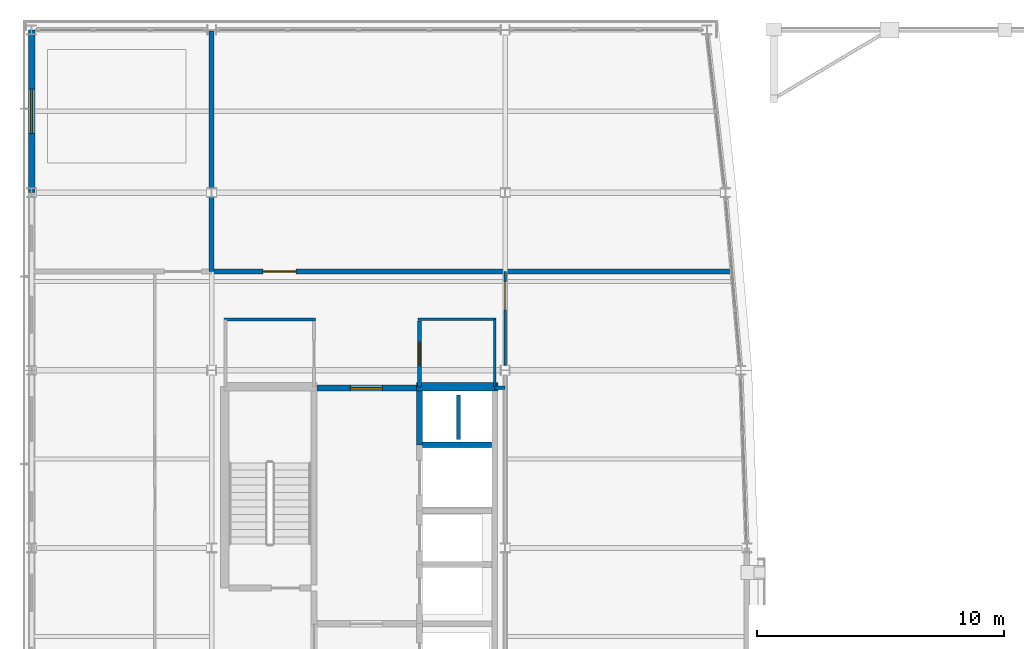
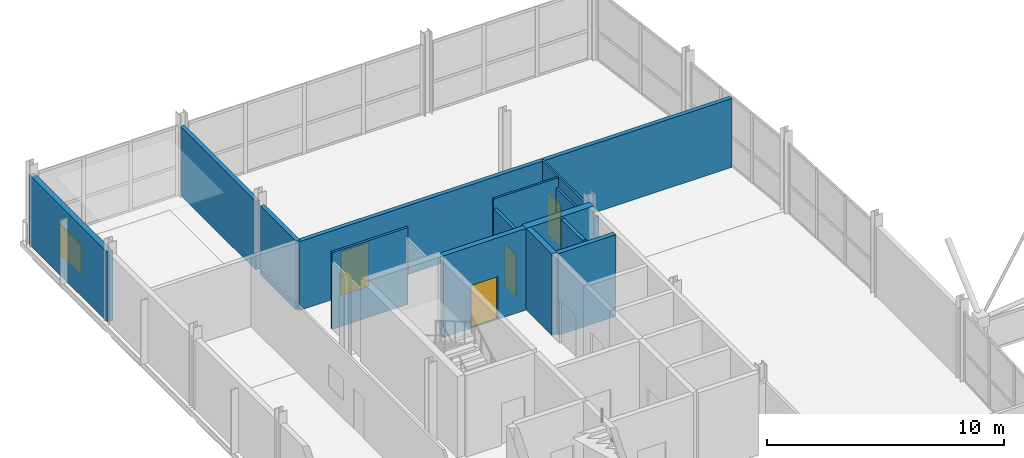
# One storey, part 52 of 60: 15 walls, 4 doors, 1 window, 5 openings.
"""IFC4 building model written with IfcOpenShell, lengths in metres."""

from ifc_helpers import new_model, si_unit, direction, frame, frame_2d, origin, place, context, subcontext, project, spatial, rectangle, extrude, material, layer, layer_set, type_object, element, fill, save


model = new_model("IFC4")

# Units and contexts
model_context = context("Model", 3, precision=1e-05, world=origin(), true_north=direction((0.0, 1.0)))
body_context = subcontext(model_context, "Body", "Model", "MODEL_VIEW")
ifc_project = project(units=[si_unit("LENGTHUNIT", "METRE"), si_unit("AREAUNIT", "SQUARE_METRE"), si_unit("VOLUMEUNIT", "CUBIC_METRE"), si_unit("PLANEANGLEUNIT", "RADIAN"), si_unit("MASSUNIT", "GRAM", prefix="KILO")], contexts=[model_context])

# Site, building, storey
site_placement = place(None, origin())
site = spatial("IfcSite", under=ifc_project, at=site_placement, CompositionType="ELEMENT")
building_placement = place(site_placement, origin())
building = spatial("IfcBuilding", under=site, at=building_placement, Name="Quillay Park Conservatory", CompositionType="ELEMENT")
storey_placement = place(building_placement, frame((0.0, 0.0, 9.89990234375)))
storey = spatial("IfcBuildingStorey", under=building, at=storey_placement, Name="L02", CompositionType="ELEMENT", Elevation=9.89990234375)

# Wall
ifc_material_1 = material(Name="Steel-Stud Acoustic Gypsum Board Partition", Category="steel")
ifc_layer_1 = layer(ifc_material_1, 0.10009765625)
ifc_layer_set_1 = layer_set([ifc_layer_1], Name="ACOUSTIC GYPSUM PARTITION 100 (Steel-Stud Acoustic Gypsum Board Partition)")
wall_type_1 = type_object("IfcWallType", Name="ACOUSTIC GYPSUM PARTITION 100", PredefinedType="PARTITIONING", material=ifc_layer_set_1)
wall_1_placement = place(storey_placement, frame((19.3798828125, 101.659912109375, 0.0), z_axis=(0.0, 0.0, 1.0), x_axis=(-1.0, 0.0, 0.0)))
element("IfcWall", 1, at=wall_1_placement, inside=storey, type_object=wall_type_1, Name="L02 Washroom North Wall", PredefinedType="PARTITIONING", context=body_context, shape_type="SweptSolid", body=[
    extrude(rectangle(XDim=3.159912109375, YDim=0.10009765625, at=frame_2d((1.580078125, 0.0))), origin(), (0.0, 0.0, 1.0), 3.9501953125),
])

# Wall, opening, door
wall_2_placement = place(storey_placement, frame((19.75, 99.79248046875, 0.0), z_axis=(0.0, 0.0, 1.0), x_axis=(0.0, 1.0, 0.0)))
wall_2 = element("IfcWall", 2, at=wall_2_placement, inside=storey, type_object=wall_type_1, Name="L02 Field Botanist Collaboration Room West Wall 4", PredefinedType="PARTITIONING", context=body_context, shape_type="SweptSolid", body=[
    extrude(rectangle(XDim=3.8076171875, YDim=0.10009765625, at=frame_2d((1.90380859375, 0.0))), origin(), (0.0, 0.0, 1.0), 3.5419921875),
])
opening_1_placement = place(wall_2_placement, frame((2.257568359375, 0.0, 0.0)))
opening_1 = element("IfcOpeningElement", 3, at=opening_1_placement, cuts=wall_2, Name="Opening D-RM34", PredefinedType="OPENING", context=body_context, shape_type="SweptSolid", body=[
    extrude(rectangle(XDim=1.139892578125, YDim=2.179931640625, at=frame_2d((0.56982421875, 1.08984375))), frame((0.0, 0.050048828125, 0.0), z_axis=(0.0, -1.0, 0.0), x_axis=(1.0, 0.0, 0.0)), (0.0, 0.0, 1.0), 0.10009765625),
])
ifc_material_2 = material(Name="Thermally Broken Anodised Aluminium 6063-T6", Category="aluminium")
door_type_1 = type_object("IfcDoorType", Name="SINGLE SWING DOOR 1140 X2180", OperationType="NOTDEFINED", PredefinedType="DOOR", material=ifc_material_2)
door_1_placement = place(opening_1_placement, origin())
door_1 = element("IfcDoor", 4, at=door_1_placement, inside=storey, type_object=door_type_1, Name="L02 Door to Field Botanist Collaboration Room", OperationType="SINGLE_SWING_RIGHT", OverallHeight=2.179931640625, OverallWidth=1.139892578125, PredefinedType="DOOR", context=body_context, shape_type="SweptSolid", body=[
    extrude(rectangle(XDim=1.139892578125, YDim=2.179931640625, at=frame_2d((0.56982421875, 1.08984375))), frame((0.0, 0.02490234375, 0.0), z_axis=(0.0, -1.0, 0.0), x_axis=(1.0, 0.0, 0.0)), (0.0, 0.0, 1.0), 0.050048828125),
])
fill(opening_1, door_1)

# Walls
ifc_material_3 = material(Name="Steel-Stud Acoustic Gypsum Board Partition", Category="steel")
ifc_layer_2 = layer(ifc_material_3, 0.10498046875)
ifc_layer_set_2 = layer_set([ifc_layer_2], Name="ACOUSTIC GYPSUM PARTITION 105 (Steel-Stud Acoustic Gypsum Board Partition)")
wall_type_2 = type_object("IfcWallType", Name="ACOUSTIC GYPSUM PARTITION 105", PredefinedType="PARTITIONING", material=ifc_layer_set_2)
wall_3_placement = place(storey_placement, frame((19.320068359375, 98.919921875, 0.0), z_axis=(0.0, 0.0, 1.0), x_axis=(0.0, 1.0, 0.0)))
element("IfcWall", 5, at=wall_3_placement, inside=storey, type_object=wall_type_2, Name="L02 Washroom East Wall", PredefinedType="PARTITIONING", context=body_context, shape_type="SweptSolid", body=[
    extrude(rectangle(XDim=2.739990234375, YDim=0.10498046875, at=frame_2d((1.3701171875, 0.0))), origin(), (0.0, 0.0, 1.0), 3.466064453125),
])
ifc_material_4 = material(Name="Steel-Stud Acoustic Gypsum Board Partition", Category="steel")
ifc_layer_3 = layer(ifc_material_4, 0.114990234375)
ifc_layer_set_3 = layer_set([ifc_layer_3], Name="ACOUSTIC GYPSUM PARTITION 115 (Steel-Stud Acoustic Gypsum Board Partition)")
wall_type_3 = type_object("IfcWallType", Name="ACOUSTIC GYPSUM PARTITION 115", PredefinedType="PARTITIONING", material=ifc_layer_set_3)
wall_4_placement = place(storey_placement, frame((8.360107421875, 101.659912109375, 0.0), z_axis=(0.0, 0.0, 1.0), x_axis=(1.0, 0.0, 0.0)))
element("IfcWall", 6, at=wall_4_placement, inside=storey, type_object=wall_type_3, Name="L02 Accessible WC North Wall", PredefinedType="PARTITIONING", context=body_context, shape_type="SweptSolid", body=[
    extrude(rectangle(XDim=3.699951171875, YDim=0.114990234375, at=frame_2d((1.85009765625, 0.0))), origin(), (0.0, 0.0, 1.0), 3.9501953125),
])
ifc_material_5 = material(Name="Steel-Stud Acoustic Gypsum Board Partition", Category="steel")
ifc_layer_4 = layer(ifc_material_5, 0.139892578125)
ifc_layer_set_4 = layer_set([ifc_layer_4], Name="ACOUSTIC GYPSUM PARTITION 140 (Steel-Stud Acoustic Gypsum Board Partition)")
wall_type_4 = type_object("IfcWallType", Name="ACOUSTIC GYPSUM PARTITION 140", PredefinedType="PARTITIONING", material=ifc_layer_set_4)
wall_5_placement = place(storey_placement, frame((19.75, 98.89990234375, 0.0), z_axis=(0.0, 0.0, 1.0), x_axis=(-1.0, 0.0, 0.0)))
element("IfcWall", 7, at=wall_5_placement, inside=storey, type_object=wall_type_4, Name="L02 Core North-East Closure", PredefinedType="PARTITIONING", context=body_context, shape_type="SweptSolid", body=[
    extrude(rectangle(XDim=0.429931640625, YDim=0.139892578125, at=frame_2d((0.21484375, 0.0))), origin(), (0.0, 0.0, 1.0), 3.5419921875),
])

# Wall, opening, door
ifc_material_6 = material(Name="Steel-Stud Acoustic Gypsum Board Partition", Category="steel")
ifc_layer_5 = layer(ifc_material_6, 0.14990234375)
ifc_layer_set_5 = layer_set([ifc_layer_5], Name="ACOUSTIC GYPSUM PARTITION 150 (Steel-Stud Acoustic Gypsum Board Partition)")
wall_type_5 = type_object("IfcWallType", Name="ACOUSTIC GYPSUM PARTITION 150", PredefinedType="PARTITIONING", material=ifc_layer_set_5)
wall_6_placement = place(storey_placement, frame((16.280029296875, 98.919921875, 0.0), z_axis=(0.0, 0.0, 1.0), x_axis=(0.0, 1.0, 0.0)))
wall_6 = element("IfcWall", 8, at=wall_6_placement, inside=storey, type_object=wall_type_5, Name="L02 Washroom Door Wall", PredefinedType="PARTITIONING", context=body_context, shape_type="SweptSolid", body=[
    extrude(rectangle(XDim=2.68017578125, YDim=0.14990234375, at=frame_2d((1.340087890625, 0.0))), origin(), (0.0, 0.0, 1.0), 3.466064453125),
])
opening_2_placement = place(wall_6_placement, frame((0.864990234375, 0.0, 0.0)))
opening_2 = element("IfcOpeningElement", 9, at=opening_2_placement, cuts=wall_6, Name="Opening D-RM13", PredefinedType="OPENING", context=body_context, shape_type="SweptSolid", body=[
    extrude(rectangle(XDim=0.949951171875, YDim=2.199951171875, at=frame_2d((0.47509765625, 1.10009765625))), frame((0.0, 0.074951171875, 0.0), z_axis=(0.0, -1.0, 0.0), x_axis=(1.0, 0.0, 0.0)), (0.0, 0.0, 1.0), 0.14990234375),
])
ifc_material_7 = material(Name="Thermally Broken Anodised Aluminium 6063-T6", Category="aluminium")
door_type_2 = type_object("IfcDoorType", Name="SINGLE SWING DOOR 950 X2200", OperationType="NOTDEFINED", PredefinedType="DOOR", material=ifc_material_7)
door_2_placement = place(opening_2_placement, origin())
door_2 = element("IfcDoor", 10, at=door_2_placement, inside=storey, type_object=door_type_2, Name="L02 Door to L02 Restroom and Washroom", OperationType="SINGLE_SWING_RIGHT", OverallHeight=2.199951171875, OverallWidth=0.949951171875, PredefinedType="DOOR", context=body_context, shape_type="SweptSolid", body=[
    extrude(rectangle(XDim=0.949951171875, YDim=2.199951171875, at=frame_2d((0.47509765625, 1.10009765625))), frame((0.0, 0.02490234375, 0.0), z_axis=(0.0, -1.0, 0.0), x_axis=(1.0, 0.0, 0.0)), (0.0, 0.0, 1.0), 0.050048828125),
])
fill(opening_2, door_2)

# Wall
ifc_material_8 = material(Name="Concrete C35/45 (NCh170 Concrete C35/45)", Category="concrete")
ifc_layer_6 = layer(ifc_material_8, 0.22509765625)
ifc_layer_set_6 = layer_set([ifc_layer_6], Name="CORE SHEAR WALL 225 (Concrete C35/45 (NCh170 Concrete C35/45))")
wall_type_6 = type_object("IfcWallType", Name="CORE SHEAR WALL 225", PredefinedType="SHEAR", material=ifc_layer_set_6)
wall_7_placement = place(storey_placement, frame((16.39990234375, 96.574951171875, 0.0), z_axis=(0.0, 0.0, 1.0), x_axis=(1.0, 0.0, 0.0)))
element("IfcWall", 11, at=wall_7_placement, inside=storey, type_object=wall_type_6, Name="L02 Core Shear Wall WL-LFDIV-L02-965", PredefinedType="SHEAR", context=body_context, shape_type="SweptSolid", body=[
    extrude(rectangle(XDim=2.800048828125, YDim=0.22509765625, at=frame_2d((1.39990234375, 0.0))), origin(), (0.0, 0.0, 1.0), 4.2001953125),
])

# Wall, opening, door
ifc_material_9 = material(Name="Concrete C40/50 (NCh170 Concrete C40/50)", Category="concrete")
ifc_layer_7 = layer(ifc_material_9, 0.25)
ifc_layer_set_7 = layer_set([ifc_layer_7], Name="CORE SHEAR WALL 250 (Concrete C40/50 (NCh170 Concrete C40/50))")
wall_type_7 = type_object("IfcWallType", Name="CORE SHEAR WALL 250", PredefinedType="SHEAR", material=ifc_layer_set_7)
wall_8_placement = place(storey_placement, frame((12.1201171875, 98.875, 0.0), z_axis=(0.0, 0.0, 1.0), x_axis=(1.0, 0.0, 0.0)))
wall_8 = element("IfcWall", 12, at=wall_8_placement, inside=storey, type_object=wall_type_7, Name="L02 Core Shear Wall WL-PAXN-L02", PredefinedType="SHEAR", context=body_context, shape_type="SweptSolid", body=[
    extrude(rectangle(XDim=4.02978515625, YDim=0.25, at=frame_2d((2.014892578125, 0.0))), origin(), (0.0, 0.0, 1.0), 4.2001953125),
])
opening_3_placement = place(wall_8_placement, frame((1.35009765625, 0.0, 0.0)))
opening_3 = element("IfcOpeningElement", 13, at=opening_3_placement, cuts=wall_8, Name="Opening D-LB02", PredefinedType="OPENING", context=body_context, shape_type="SweptSolid", body=[
    extrude(rectangle(XDim=1.300048828125, YDim=2.199951171875, at=frame_2d((0.64990234375, 1.10009765625))), frame((0.0, 0.125, 0.0), z_axis=(0.0, -1.0, 0.0), x_axis=(1.0, 0.0, 0.0)), (0.0, 0.0, 1.0), 0.25),
])
ifc_material_10 = material(Name="Steel ASTM A572 Grade 50", Category="steel")
door_type_3 = type_object("IfcDoorType", Name="FIRE RATED LOBBY DOOR 1300 X2200", OperationType="NOTDEFINED", PredefinedType="DOOR", material=ifc_material_10)
door_3_placement = place(opening_3_placement, origin())
door_3 = element("IfcDoor", 14, at=door_3_placement, inside=storey, type_object=door_type_3, Name="L02 North Lift Lobby Door", OperationType="SINGLE_SWING_RIGHT", OverallHeight=2.199951171875, OverallWidth=1.300048828125, PredefinedType="DOOR", context=body_context, shape_type="SweptSolid", body=[
    extrude(rectangle(XDim=1.300048828125, YDim=2.199951171875, at=frame_2d((0.64990234375, 1.10009765625))), frame((0.0, 0.02490234375, 0.0), z_axis=(0.0, -1.0, 0.0), x_axis=(1.0, 0.0, 0.0)), (0.0, 0.0, 1.0), 0.050048828125),
])
fill(opening_3, door_3)

# Walls
wall_9_placement = place(storey_placement, frame((16.27490234375, 96.574951171875, 0.0), z_axis=(0.0, 0.0, 1.0), x_axis=(0.0, 1.0, 0.0)))
element("IfcWall", 15, at=wall_9_placement, inside=storey, type_object=wall_type_7, Name="L02 Core Shear Wall WL-MEPR-L02", PredefinedType="SHEAR", context=body_context, shape_type="SweptSolid", body=[
    extrude(rectangle(XDim=2.175048828125, YDim=0.25, at=frame_2d((1.08740234375, 0.0))), origin(), (0.0, 0.0, 1.0), 4.2001953125),
])
ifc_material_11 = material(Name="Concrete C40/50 (NCh170 Concrete C40/50)", Category="concrete")
ifc_layer_8 = layer(ifc_material_11, 0.35009765625)
ifc_layer_set_8 = layer_set([ifc_layer_8], Name="CORE SHEAR WALL 350 (Concrete C40/50 (NCh170 Concrete C40/50))")
wall_type_8 = type_object("IfcWallType", Name="CORE SHEAR WALL 350", PredefinedType="SHEAR", material=ifc_layer_set_8)
wall_10_placement = place(storey_placement, frame((16.14990234375, 98.925048828125, 0.0), z_axis=(0.0, 0.0, 1.0), x_axis=(1.0, 0.0, 0.0)))
element("IfcWall", 16, at=wall_10_placement, inside=storey, type_object=wall_type_8, Name="L02 Core Shear Wall WL-TCN-E-L02", PredefinedType="SHEAR", context=body_context, shape_type="SweptSolid", body=[
    extrude(rectangle(XDim=3.300048828125, YDim=0.35009765625, at=frame_2d((1.64990234375, 0.0))), origin(), (0.0, 0.0, 1.0), 4.2001953125),
])

# Wall, opening, window
ifc_material_12 = material(Name="Glass-Fibre Reinforced Concrete (GRC) Cladding", Category="concrete")
ifc_layer_9 = layer(ifc_material_12, 0.260009765625)
ifc_layer_set_9 = layer_set([ifc_layer_9], Name="EXTERIOR SOLID WALL 260 (Glass-Fibre Reinforced Concrete (GRC) Cladding)")
wall_type_9 = type_object("IfcWallType", Name="EXTERIOR SOLID WALL 260", PredefinedType="SOLIDWALL", material=ifc_layer_set_9)
wall_11_placement = place(storey_placement, frame((0.550048828125, 106.800048828125, 0.0), z_axis=(0.0, 0.0, 1.0), x_axis=(0.0, 1.0, 0.0)))
wall_11 = element("IfcWall", 17, at=wall_11_placement, inside=storey, type_object=wall_type_9, Name="L02 External Wall WL-EXT-V4W-L02-6", PredefinedType="SOLIDWALL", context=body_context, shape_type="SweptSolid", body=[
    extrude(rectangle(XDim=6.599853515625, YDim=0.260009765625, at=frame_2d((3.2998046875, 0.0))), origin(), (0.0, 0.0, 1.0), 3.592041015625),
])
opening_4_placement = place(wall_11_placement, frame((2.39990234375, 0.0, 0.919921875)))
opening_4 = element("IfcOpeningElement", 18, at=opening_4_placement, cuts=wall_11, Name="Opening W-09", PredefinedType="OPENING", context=body_context, shape_type="SweptSolid", body=[
    extrude(rectangle(XDim=1.800048828125, YDim=1.550048828125, at=frame_2d((0.89990234375, 0.77490234375))), frame((0.0, 0.1298828125, 0.0), z_axis=(0.0, -1.0, 0.0), x_axis=(1.0, 0.0, 0.0)), (0.0, 0.0, 1.0), 0.260009765625),
])
ifc_material_13 = material(Name="Low-E Double Glazing (Laminated Tempered)", Category="glass")
window_type = type_object("IfcWindowType", Name="FIXED CASEMENT WINDOW 1800 X1550", PartitioningType="DOUBLE_PANEL_VERTICAL", PredefinedType="WINDOW", material=ifc_material_13)
window_placement = place(opening_4_placement, origin())
window = element("IfcWindow", 19, at=window_placement, inside=storey, type_object=window_type, Name="L02 Exterior Window 0117", OverallHeight=1.550048828125, OverallWidth=1.800048828125, PartitioningType="DOUBLE_PANEL_VERTICAL", PredefinedType="WINDOW", context=body_context, shape_type="SweptSolid", body=[
    extrude(rectangle(XDim=1.800048828125, YDim=1.550048828125, at=frame_2d((0.89990234375, 0.77490234375))), frame((0.0, 0.030029296875, 0.0), z_axis=(0.0, -1.0, 0.0), x_axis=(1.0, 0.0, 0.0)), (0.0, 0.0, 1.0), 0.06005859375),
])
fill(opening_4, window)

# Wall
ifc_material_14 = material(Name="Steel-Stud Acoustic Gypsum Board Partition", Category="steel")
ifc_layer_10 = layer(ifc_material_14, 0.1650390625)
ifc_layer_set_10 = layer_set([ifc_layer_10], Name="PLUMBING SHAFT WALL 165 (Steel-Stud Acoustic Gypsum Board Partition)")
wall_type_10 = type_object("IfcWallType", Name="PLUMBING SHAFT WALL 165", PredefinedType="PLUMBINGWALL", material=ifc_layer_set_10)
wall_12_placement = place(storey_placement, frame((17.85009765625, 96.800048828125, 0.0), z_axis=(0.0, 0.0, 1.0), x_axis=(0.0, 1.0, 0.0)))
element("IfcWall", 20, at=wall_12_placement, inside=storey, type_object=wall_type_10, Name="L02 Plumbing Riser Wall", PredefinedType="PLUMBINGWALL", context=body_context, shape_type="SweptSolid", body=[
    extrude(rectangle(XDim=1.800048828125, YDim=0.1650390625, at=frame_2d((0.89990234375, 0.0))), origin(), (0.0, 0.0, 1.0), 4.2001953125),
])

# Wall, opening, door
ifc_material_15 = material(Name="Concrete C35/45 (NCh170 Concrete C35/45)", Category="concrete")
ifc_layer_11 = layer(ifc_material_15, 0.199951171875)
ifc_layer_set_11 = layer_set([ifc_layer_11], Name="SOLID VAULT WALL 200 (Concrete C35/45 (NCh170 Concrete C35/45))")
wall_type_11 = type_object("IfcWallType", Name="SOLID VAULT WALL 200", PredefinedType="SOLIDWALL", material=ifc_layer_set_11)
wall_13_placement = place(storey_placement, frame((7.85009765625, 103.60009765625, 0.0), z_axis=(0.0, 0.0, 1.0), x_axis=(1.0, 0.0, 0.0)))
wall_13 = element("IfcWall", 21, at=wall_13_placement, inside=storey, type_object=wall_type_11, Name="L02 Specimen Drying and Pressing Studio South Wall", PredefinedType="SOLIDWALL", context=body_context, shape_type="SweptSolid", body=[
    extrude(rectangle(XDim=21.06494140625, YDim=0.199951171875, at=frame_2d((10.532470703125, 0.0))), origin(), (0.0, 0.0, 1.0), 3.5419921875),
])
opening_5_placement = place(wall_13_placement, frame((2.074951171875, 0.0, 0.0)))
opening_5 = element("IfcOpeningElement", 22, at=opening_5_placement, cuts=wall_13, Name="Opening D-HB01", PredefinedType="OPENING", context=body_context, shape_type="SweptSolid", body=[
    extrude(rectangle(XDim=1.35009765625, YDim=2.25, at=frame_2d((0.675048828125, 1.125))), frame((0.0, 0.10009765625, 0.0), z_axis=(0.0, -1.0, 0.0), x_axis=(1.0, 0.0, 0.0)), (0.0, 0.0, 1.0), 0.199951171875),
])
ifc_material_16 = material(Name="Steel ASTM A572 Grade 50", Category="steel")
door_type_4 = type_object("IfcDoorType", Name="FIRE RATED VAULT DOOR 1350 X2250", OperationType="NOTDEFINED", PredefinedType="DOOR", material=ifc_material_16)
door_4_placement = place(opening_5_placement, origin())
door_4 = element("IfcDoor", 23, at=door_4_placement, inside=storey, type_object=door_type_4, Name="L02 Door to Specimen Drying and Pressing Studio", OperationType="SINGLE_SWING_LEFT", OverallHeight=2.25, OverallWidth=1.35009765625, PredefinedType="DOOR", context=body_context, shape_type="SweptSolid", body=[
    extrude(rectangle(XDim=1.35009765625, YDim=2.25, at=frame_2d((0.675048828125, 1.125))), frame((0.0, 0.02490234375, 0.0), z_axis=(0.0, -1.0, 0.0), x_axis=(1.0, 0.0, 0.0)), (0.0, 0.0, 1.0), 0.050048828125),
])
fill(opening_5, door_4)

# Walls
wall_14_placement = place(storey_placement, frame((7.85009765625, 106.614990234375, 0.0), z_axis=(0.0, 0.0, 1.0), x_axis=(0.0, -1.0, 0.0)))
element("IfcWall", 24, at=wall_14_placement, inside=storey, type_object=wall_type_11, Name="L02 North Divider 7 S", PredefinedType="SOLIDWALL", context=body_context, shape_type="SweptSolid", body=[
    extrude(rectangle(XDim=3.014892578125, YDim=0.199951171875, at=frame_2d((1.50732421875, 0.0))), origin(), (0.0, 0.0, 1.0), 3.5419921875),
])
wall_15_placement = place(storey_placement, frame((7.85009765625, 113.35009765625, 0.0), z_axis=(0.0, 0.0, 1.0), x_axis=(0.0, -1.0, 0.0)))
element("IfcWall", 25, at=wall_15_placement, inside=storey, type_object=wall_type_11, Name="L02 North Divider 7 N", PredefinedType="SOLIDWALL", context=body_context, shape_type="SweptSolid", body=[
    extrude(rectangle(XDim=6.364990234375, YDim=0.199951171875, at=frame_2d((3.1826171875, 0.0))), origin(), (0.0, 0.0, 1.0), 3.5419921875),
])

save(model, "model.ifc")
